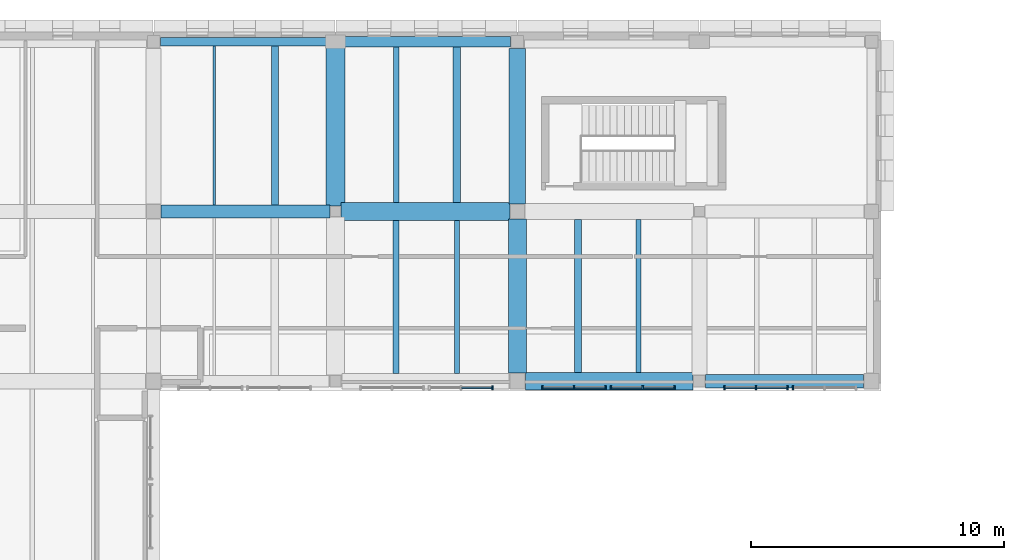
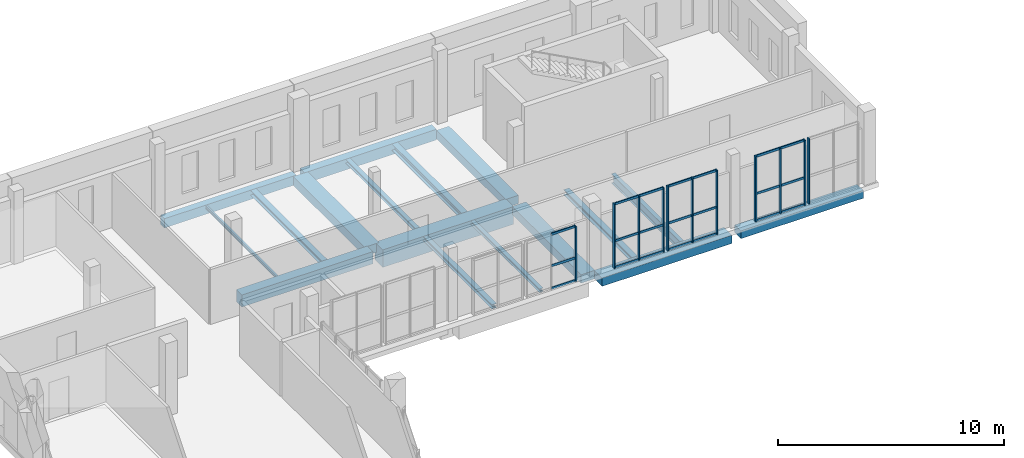
# One storey, part 18 of 56: 32 members, 17 beams, 5 elements without a shape of their own.
"""IFC4 building model written with IfcOpenShell, lengths in metres."""

from ifc_helpers import new_model, si_unit, direction, frame, origin, origin_2d, place, context, subcontext, project, spatial, rectangle, i_section, extrude, material, layer, layer_set, material_profile, profile_set, type_object, element, aggregate, save


model = new_model("IFC4")

# Units and contexts
model_context = context("Model", 3, precision=1e-05, world=origin(), true_north=direction((0.0, 1.0)))
body_context = subcontext(model_context, "Body", "Model", "MODEL_VIEW")
ifc_project = project(units=[si_unit("LENGTHUNIT", "METRE"), si_unit("AREAUNIT", "SQUARE_METRE"), si_unit("VOLUMEUNIT", "CUBIC_METRE"), si_unit("PLANEANGLEUNIT", "RADIAN"), si_unit("MASSUNIT", "GRAM", prefix="KILO")], contexts=[model_context])

# Site, building, storey
site_placement = place(None, origin())
site = spatial("IfcSite", under=ifc_project, at=site_placement, CompositionType="ELEMENT")
building_placement = place(site_placement, origin())
building = spatial("IfcBuilding", under=site, at=building_placement, Name="Vardoun Plaza Health Centre", CompositionType="ELEMENT")
storey_placement = place(building_placement, frame((0.0, 0.0, 8.699951171875)))
storey = spatial("IfcBuildingStorey", under=building, at=storey_placement, Name="L02", CompositionType="ELEMENT", Elevation=8.699951171875)

# Beams
ifc_material_1 = material(Name="Concrete C35/45", Category="concrete")
ifc_material_profile_1 = material_profile(ifc_material_1, rectangle(XDim=0.35009765625, YDim=0.5, at=origin_2d()), Name="RC-BM 350x500")
ifc_profile_set_1 = profile_set([ifc_material_profile_1], Name="Concrete C35/45")
beam_type_1 = type_object("IfcBeamType", Name="B-08", PredefinedType="SPANDREL", material=ifc_profile_set_1)
beam_1_placement = place(storey_placement, frame((19.175048828125, 114.919921875, -0.514892578125), z_axis=(1.0, 0.0, 0.0), x_axis=(0.0, 1.0, 0.0)))
element("IfcBeam", 1, at=beam_1_placement, inside=storey, type_object=beam_type_1, Name="V3 L02 Beam B-V3-L02-X15", PredefinedType="SPANDREL", context=body_context, shape_type="SweptSolid", body=[
    extrude(rectangle(XDim=0.35009765625, YDim=0.5, at=origin_2d()), origin(), (0.0, 0.0, 1.0), 6.724853515625),
])
ifc_material_2 = material(Name="Concrete C35/45", Category="concrete")
ifc_material_profile_2 = material_profile(ifc_material_2, rectangle(XDim=0.419921875, YDim=0.580078125, at=origin_2d()), Name="RC-BM 420x580")
ifc_profile_set_2 = profile_set([ifc_material_profile_2], Name="Concrete C35/45")
beam_type_2 = type_object("IfcBeamType", Name="B-10", PredefinedType="SPANDREL", material=ifc_profile_set_2)
beam_2_placement = place(storey_placement, frame((26.300048828125, 114.919921875, -0.554931640625), z_axis=(1.0, 0.0, 0.0), x_axis=(0.0, 1.0, 0.0)))
element("IfcBeam", 2, at=beam_2_placement, inside=storey, type_object=beam_type_2, Name="V3 L02 Beam B-V3-L02-X18", PredefinedType="SPANDREL", context=body_context, shape_type="SweptSolid", body=[
    extrude(rectangle(XDim=0.419921875, YDim=0.580078125, at=origin_2d()), origin(), (0.0, 0.0, 1.0), 6.72509765625),
])
ifc_material_3 = material(Name="Concrete C40/50", Category="concrete")
ifc_material_profile_3 = material_profile(ifc_material_3, rectangle(XDim=0.5, YDim=0.64990234375, at=origin_2d()), Name="RC-BM 500x650")
ifc_profile_set_3 = profile_set([ifc_material_profile_3], Name="Concrete C40/50")
beam_type_3 = type_object("IfcBeamType", Name="B-13", PredefinedType="BEAM", material=ifc_profile_set_3)
beam_3_placement = place(storey_placement, frame((19.199951171875, 108.199951171875, -0.58984375), z_axis=(1.0, 0.0, 0.0), x_axis=(0.0, 1.0, 0.0)))
element("IfcBeam", 3, at=beam_3_placement, inside=storey, type_object=beam_type_3, Name="V3 L02 Beam B-V3-L02-X14", PredefinedType="BEAM", context=body_context, shape_type="SweptSolid", body=[
    extrude(rectangle(XDim=0.5, YDim=0.64990234375, at=origin_2d()), origin(), (0.0, 0.0, 1.0), 6.675048828125),
])
ifc_material_4 = material(Name="Concrete C35/45", Category="concrete")
ifc_material_profile_4 = material_profile(ifc_material_4, rectangle(XDim=0.550048828125, YDim=0.419921875, at=origin_2d()), Name="RC-BM 550x420")
ifc_profile_set_4 = profile_set([ifc_material_profile_4], Name="Concrete C35/45")
beam_type_4 = type_object("IfcBeamType", Name="B-03", PredefinedType="BEAM", material=ifc_profile_set_4)
beam_4_placement = place(storey_placement, frame((40.75, 101.47998046875, -0.474853515625), z_axis=(1.0, 0.0, 0.0), x_axis=(0.0, 1.0, 0.0)))
element("IfcBeam", 4, at=beam_4_placement, inside=storey, type_object=beam_type_4, Name="V3 L02 Beam B-V3-L02-X22", PredefinedType="BEAM", context=body_context, shape_type="SweptSolid", body=[
    extrude(rectangle(XDim=0.550048828125, YDim=0.419921875, at=origin_2d()), origin(), (0.0, 0.0, 1.0), 6.2451171875),
])
ifc_material_5 = material(Name="Concrete C35/45", Category="concrete")
ifc_material_profile_5 = material_profile(ifc_material_5, rectangle(XDim=0.64990234375, YDim=0.449951171875, at=origin_2d()), Name="RC-BM 650x450")
ifc_profile_set_5 = profile_set([ifc_material_profile_5], Name="Concrete C35/45")
beam_type_5 = type_object("IfcBeamType", Name="B-05", PredefinedType="BEAM", material=ifc_profile_set_5)
beam_5_placement = place(storey_placement, frame((33.300048828125, 108.5, -0.489990234375), z_axis=(0.0, 1.0, 0.0), x_axis=(-1.0, 0.0, 0.0)))
element("IfcBeam", 5, at=beam_5_placement, inside=storey, type_object=beam_type_5, Name="V3 L02 Beam B-V3-L02-Y42", PredefinedType="BEAM", context=body_context, shape_type="SweptSolid", body=[
    extrude(rectangle(XDim=0.64990234375, YDim=0.449951171875, at=origin_2d()), origin(), (0.0, 0.0, 1.0), 6.14501953125),
])
ifc_material_6 = material(Name="Concrete C35/45", Category="concrete")
ifc_material_profile_6 = material_profile(ifc_material_6, rectangle(XDim=0.699951171875, YDim=0.449951171875, at=origin_2d()), Name="RC-BM 700x450")
ifc_profile_set_6 = profile_set([ifc_material_profile_6], Name="Concrete C35/45")
beam_type_6 = type_object("IfcBeamType", Name="B-06", PredefinedType="BEAM", material=ifc_profile_set_6)
beam_6_placement = place(storey_placement, frame((33.625, 101.47998046875, -0.489990234375), z_axis=(1.0, 0.0, 0.0), x_axis=(0.0, 1.0, 0.0)))
element("IfcBeam", 6, at=beam_6_placement, inside=storey, type_object=beam_type_6, Name="V3 L02 Beam B-V3-L02-X19", PredefinedType="BEAM", context=body_context, shape_type="SweptSolid", body=[
    extrude(rectangle(XDim=0.699951171875, YDim=0.449951171875, at=origin_2d()), origin(), (0.0, 0.0, 1.0), 6.625),
])
beam_7_placement = place(storey_placement, frame((33.300048828125, 101.804931640625, -0.489990234375), z_axis=(0.0, 1.0, 0.0), x_axis=(-1.0, 0.0, 0.0)))
element("IfcBeam", 7, at=beam_7_placement, inside=storey, type_object=beam_type_6, Name="V3 L02 Beam B-V3-L02-Y41", PredefinedType="BEAM", context=body_context, shape_type="SweptSolid", body=[
    extrude(rectangle(XDim=0.699951171875, YDim=0.449951171875, at=origin_2d()), origin(), (0.0, 0.0, 1.0), 6.09521484375),
])
ifc_material_7 = material(Name="Concrete C40/50", Category="concrete")
ifc_material_profile_7 = material_profile(ifc_material_7, rectangle(XDim=0.699951171875, YDim=0.949951171875, at=origin_2d()), Name="RC-BM 700x950")
ifc_profile_set_7 = profile_set([ifc_material_profile_7], Name="Concrete C40/50")
beam_type_7 = type_object("IfcBeamType", Name="B-16", PredefinedType="LINTEL", material=ifc_profile_set_7)
beam_8_placement = place(storey_placement, frame((26.324951171875, 108.199951171875, -0.739990234375), z_axis=(1.0, 0.0, 0.0), x_axis=(0.0, 1.0, 0.0)))
element("IfcBeam", 8, at=beam_8_placement, inside=storey, type_object=beam_type_7, Name="V3 L02 Beam B-V3-L02-X17", PredefinedType="LINTEL", context=body_context, shape_type="SweptSolid", body=[
    extrude(rectangle(XDim=0.699951171875, YDim=0.949951171875, at=origin_2d()), origin(), (0.0, 0.0, 1.0), 6.675048828125),
])
ifc_material_8 = material(Name="Concrete C35/45", Category="concrete")
ifc_material_profile_8 = material_profile(ifc_material_8, rectangle(XDim=0.75, YDim=0.47998046875, at=origin_2d()), Name="RC-BM 750x480")
ifc_profile_set_8 = profile_set([ifc_material_profile_8], Name="Concrete C35/45")
beam_type_8 = type_object("IfcBeamType", Name="B-07", PredefinedType="BEAM", material=ifc_profile_set_8)
beam_9_placement = place(storey_placement, frame((26.10009765625, 108.425048828125, -0.5048828125), z_axis=(0.0, 1.0, 0.0), x_axis=(-1.0, 0.0, 0.0)))
element("IfcBeam", 9, at=beam_9_placement, inside=storey, type_object=beam_type_8, Name="V3 L02 Beam B-V3-L02-Y40", PredefinedType="BEAM", context=body_context, shape_type="SweptSolid", body=[
    extrude(rectangle(XDim=0.75, YDim=0.47998046875, at=origin_2d()), origin(), (0.0, 0.0, 1.0), 6.294921875),
])
ifc_material_9 = material(Name="Steel S355J2", Category="steel")
ifc_material_profile_9 = material_profile(ifc_material_9, i_section(OverallWidth=0.199951171875, OverallDepth=0.18994140625, WebThickness=0.006591796875, FlangeThickness=0.010009765625, FilletRadius=0.01806640625, at=origin_2d()), Name="HEA 200")
ifc_profile_set_9 = profile_set([ifc_material_profile_9], Name="Steel S355J2")
beam_type_9 = type_object("IfcBeamType", Name="SB-09", PredefinedType="BEAM", material=ifc_profile_set_9)
beam_10_placement = place(storey_placement, frame((30.900146484375, 101.780029296875, -0.35986328125), z_axis=(0.0, 1.0, 0.0), x_axis=(-1.0, 0.0, 0.0)))
element("IfcBeam", 10, at=beam_10_placement, inside=storey, type_object=beam_type_9, Name="V3 L02 Secondary Floor Beam SJ-V3-L02-23", PredefinedType="BEAM", context=body_context, shape_type="SweptSolid", body=[
    extrude(i_section(OverallWidth=0.199951171875, OverallDepth=0.18994140625, WebThickness=0.006591796875, FlangeThickness=0.010009765625, FilletRadius=0.01806640625, at=origin_2d()), origin(), (0.0, 0.0, 1.0), 6.070068359375),
])
ifc_material_10 = material(Name="Steel S355J2", Category="steel")
ifc_material_profile_10 = material_profile(ifc_material_10, i_section(OverallWidth=0.219970703125, OverallDepth=0.2099609375, WebThickness=0.007080078125, FlangeThickness=0.010986328125, FilletRadius=0.01806640625, at=origin_2d()), Name="HEA 220")
ifc_profile_set_10 = profile_set([ifc_material_profile_10], Name="Steel S355J2")
beam_type_10 = type_object("IfcBeamType", Name="SB-08", PredefinedType="BEAM", material=ifc_profile_set_10)
beam_11_placement = place(storey_placement, frame((28.499755859375, 108.550048828125, -0.369873046875), z_axis=(0.0, 1.0, 0.0), x_axis=(-1.0, 0.0, 0.0)))
element("IfcBeam", 11, at=beam_11_placement, inside=storey, type_object=beam_type_10, Name="V3 L02 Secondary Floor Beam SJ-V3-L02-22", PredefinedType="BEAM", context=body_context, shape_type="SweptSolid", body=[
    extrude(i_section(OverallWidth=0.219970703125, OverallDepth=0.2099609375, WebThickness=0.007080078125, FlangeThickness=0.010986328125, FilletRadius=0.01806640625, at=origin_2d()), origin(), (0.0, 0.0, 1.0), 6.159912109375),
])
ifc_material_11 = material(Name="Steel S355J2", Category="steel")
ifc_material_profile_11 = material_profile(ifc_material_11, i_section(OverallWidth=0.239990234375, OverallDepth=0.22998046875, WebThickness=0.007568359375, FlangeThickness=0.011962890625, FilletRadius=0.02099609375, at=origin_2d()), Name="HEA 240")
ifc_profile_set_11 = profile_set([ifc_material_profile_11], Name="Steel S355J2")
beam_type_11 = type_object("IfcBeamType", Name="SB-07", PredefinedType="BEAM", material=ifc_profile_set_11)
beam_12_placement = place(storey_placement, frame((28.499755859375, 101.780029296875, -0.3798828125), z_axis=(0.0, 1.0, 0.0), x_axis=(-1.0, 0.0, 0.0)))
element("IfcBeam", 12, at=beam_12_placement, inside=storey, type_object=beam_type_11, Name="V3 L02 Secondary Floor Beam SJ-V3-L02-21", PredefinedType="BEAM", context=body_context, shape_type="SweptSolid", body=[
    extrude(i_section(OverallWidth=0.239990234375, OverallDepth=0.22998046875, WebThickness=0.007568359375, FlangeThickness=0.011962890625, FilletRadius=0.02099609375, at=origin_2d()), origin(), (0.0, 0.0, 1.0), 6.070068359375),
])
ifc_material_12 = material(Name="Steel S355J2", Category="steel")
ifc_material_profile_12 = material_profile(ifc_material_12, i_section(OverallWidth=0.280029296875, OverallDepth=0.27001953125, WebThickness=0.008056640625, FlangeThickness=0.012939453125, FilletRadius=0.02392578125, at=origin_2d()), Name="HEA 280")
ifc_profile_set_12 = profile_set([ifc_material_profile_12], Name="Steel S355J2")
beam_type_12 = type_object("IfcBeamType", Name="SB-06", PredefinedType="BEAM", material=ifc_profile_set_12)
beam_13_placement = place(storey_placement, frame((23.7001953125, 108.449951171875, -0.39990234375), z_axis=(0.0, 1.0, 0.0), x_axis=(-1.0, 0.0, 0.0)))
element("IfcBeam", 13, at=beam_13_placement, inside=storey, type_object=beam_type_12, Name="V3 L02 Secondary Floor Beam SJ-V3-L02-20", PredefinedType="BEAM", context=body_context, shape_type="SweptSolid", body=[
    extrude(i_section(OverallWidth=0.280029296875, OverallDepth=0.27001953125, WebThickness=0.008056640625, FlangeThickness=0.012939453125, FilletRadius=0.02392578125, at=origin_2d()), origin(), (0.0, 0.0, 1.0), 6.295166015625),
])
ifc_material_13 = material(Name="Steel S355J2", Category="steel")
ifc_material_profile_13 = material_profile(ifc_material_13, i_section(OverallWidth=0.280029296875, OverallDepth=0.280029296875, WebThickness=0.010498046875, FlangeThickness=0.01806640625, FilletRadius=0.02392578125, at=origin_2d()), Name="HEB 280")
ifc_profile_set_13 = profile_set([ifc_material_profile_13], Name="Steel S355J2")
beam_type_13 = type_object("IfcBeamType", Name="SB-02", PredefinedType="BEAM", material=ifc_profile_set_13)
beam_14_placement = place(storey_placement, frame((35.69970703125, 101.830078125, -0.405029296875), z_axis=(0.0, 1.0, 0.0), x_axis=(-1.0, 0.0, 0.0)))
element("IfcBeam", 14, at=beam_14_placement, inside=storey, type_object=beam_type_13, Name="V3 L02 Secondary Floor Beam SJ-V3-L02-25", PredefinedType="BEAM", context=body_context, shape_type="SweptSolid", body=[
    extrude(i_section(OverallWidth=0.280029296875, OverallDepth=0.280029296875, WebThickness=0.010498046875, FlangeThickness=0.01806640625, FilletRadius=0.02392578125, at=origin_2d()), origin(), (0.0, 0.0, 1.0), 6.044921875),
])
ifc_material_14 = material(Name="Steel S355J2", Category="steel")
ifc_material_profile_14 = material_profile(ifc_material_14, i_section(OverallWidth=0.300048828125, OverallDepth=0.360107421875, WebThickness=0.012451171875, FlangeThickness=0.0224609375, FilletRadius=0.027099609375, at=origin_2d()), Name="HEB 360")
ifc_profile_set_14 = profile_set([ifc_material_profile_14], Name="Steel S355J2")
beam_type_14 = type_object("IfcBeamType", Name="RB-04", PredefinedType="BEAM", material=ifc_profile_set_14)
beam_15_placement = place(storey_placement, frame((30.900146484375, 108.550048828125, -0.445068359375), z_axis=(0.0, 1.0, 0.0), x_axis=(-1.0, 0.0, 0.0)))
element("IfcBeam", 15, at=beam_15_placement, inside=storey, type_object=beam_type_14, Name="V3 L02 Secondary Floor Beam SJ-V3-L02-24", PredefinedType="BEAM", context=body_context, shape_type="SweptSolid", body=[
    extrude(i_section(OverallWidth=0.300048828125, OverallDepth=0.360107421875, WebThickness=0.012451171875, FlangeThickness=0.0224609375, FilletRadius=0.027099609375, at=origin_2d()), origin(), (0.0, 0.0, 1.0), 6.159912109375),
])
ifc_material_15 = material(Name="Steel S355J2", Category="steel")
ifc_material_profile_15 = material_profile(ifc_material_15, i_section(OverallWidth=0.091064453125, OverallDepth=0.179931640625, WebThickness=0.00537109375, FlangeThickness=0.008056640625, FilletRadius=0.009033203125, at=origin_2d()), Name="IPE 180")
ifc_profile_set_15 = profile_set([ifc_material_profile_15], Name="Steel S355J2")
beam_type_15 = type_object("IfcBeamType", Name="SB-20", PredefinedType="SPANDREL", material=ifc_profile_set_15)
beam_16_placement = place(storey_placement, frame((21.2998046875, 108.449951171875, -0.35498046875), z_axis=(0.0, 1.0, 0.0), x_axis=(-1.0, 0.0, 0.0)))
element("IfcBeam", 16, at=beam_16_placement, inside=storey, type_object=beam_type_15, Name="V3 L02 Secondary Floor Beam SJ-V3-L02-18", PredefinedType="SPANDREL", context=body_context, shape_type="SweptSolid", body=[
    extrude(i_section(OverallWidth=0.091064453125, OverallDepth=0.179931640625, WebThickness=0.00537109375, FlangeThickness=0.008056640625, FilletRadius=0.009033203125, at=origin_2d()), origin(), (0.0, 0.0, 1.0), 6.295166015625),
])
ifc_material_16 = material(Name="Steel S355J2", Category="steel")
ifc_material_profile_16 = material_profile(ifc_material_16, i_section(OverallWidth=0.199951171875, OverallDepth=0.5, WebThickness=0.01025390625, FlangeThickness=0.01611328125, FilletRadius=0.02099609375, at=origin_2d()), Name="IPE 500")
ifc_profile_set_16 = profile_set([ifc_material_profile_16], Name="Steel S355J2")
beam_type_16 = type_object("IfcBeamType", Name="SB-10", PredefinedType="BEAM", material=ifc_profile_set_16)
beam_17_placement = place(storey_placement, frame((38.10009765625, 101.830078125, -0.514892578125), z_axis=(0.0, 1.0, 0.0), x_axis=(-1.0, 0.0, 0.0)))
element("IfcBeam", 17, at=beam_17_placement, inside=storey, type_object=beam_type_16, Name="V3 L02 Secondary Floor Beam SJ-V3-L02-26", PredefinedType="BEAM", context=body_context, shape_type="SweptSolid", body=[
    extrude(i_section(OverallWidth=0.199951171875, OverallDepth=0.5, WebThickness=0.01025390625, FlangeThickness=0.01611328125, FilletRadius=0.02099609375, at=origin_2d()), origin(), (0.0, 0.0, 1.0), 6.044921875),
])

# Curtain wall, member
ifc_material_17 = material(Name="Aluminium Alloy EN AW-6063-T6 and Low-E Glass", Category="aluminium")
ifc_layer = layer(ifc_material_17, 0.159912109375)
ifc_layer_set = layer_set([ifc_layer], Name="Aluminium Alloy EN AW-6063-T6 and Low-E Glass")
curtain_wall_type = type_object("IfcCurtainWallType", Name="CW-02", PredefinedType="USERDEFINED", material=ifc_layer_set)
curtain_wall_1_placement = place(storey_placement, origin())
curtain_wall_1 = element("IfcCurtainWall", 18, at=curtain_wall_1_placement, inside=storey, type_object=curtain_wall_type, Name="Curtain Wall CW-V3-073", ObjectType="COURTYARD_CURTAIN_WALL", PredefinedType="USERDEFINED")
ifc_material_18 = material(Name="Aluminium Alloy EN AW-6063-T6", Category="aluminium")
ifc_material_profile_17 = material_profile(ifc_material_18, rectangle(XDim=0.159912109375, YDim=0.06005859375, at=origin_2d()), Name="CWM 60x160")
ifc_profile_set_17 = profile_set([ifc_material_profile_17], Name="Aluminium Alloy EN AW-6063-T6")
member_type_1 = type_object("IfcMemberType", Name="CW-M1", PredefinedType="MULLION", material=ifc_profile_set_17)
member_1_placement = place(storey_placement, frame((44.2099609375, 101.219970703125, 0.0), z_axis=(0.0, 0.0, 1.0), x_axis=(0.0, -1.0, 0.0)))
member_1 = element("IfcMember", 19, at=member_1_placement, type_object=member_type_1, Name="CW-V3-073 mullion 3", PredefinedType="MULLION", context=body_context, shape_type="SweptSolid", body=[
    extrude(rectangle(XDim=0.159912109375, YDim=0.06005859375, at=origin_2d()), origin(), (0.0, 0.0, 1.0), 3.52001953125),
])
aggregate(curtain_wall_1, [member_1])

# Curtain wall, members
curtain_wall_2_placement = place(storey_placement, origin())
curtain_wall_2 = element("IfcCurtainWall", 20, at=curtain_wall_2_placement, inside=storey, type_object=curtain_wall_type, Name="Curtain Wall CW-V3-074", ObjectType="COURTYARD_CURTAIN_WALL", PredefinedType="USERDEFINED")
member_2_placement = place(storey_placement, frame((43.989990234375, 101.219970703125, 0.0), z_axis=(0.0, 0.0, 1.0), x_axis=(0.0, -1.0, 0.0)))
member_2 = element("IfcMember", 21, at=member_2_placement, type_object=member_type_1, Name="CW-V3-074 mullion 1", PredefinedType="MULLION", context=body_context, shape_type="SweptSolid", body=[
    extrude(rectangle(XDim=0.159912109375, YDim=0.06005859375, at=origin_2d()), origin(), (0.0, 0.0, 1.0), 3.52001953125),
])
member_3_placement = place(storey_placement, frame((42.739990234375, 101.219970703125, 0.0), z_axis=(0.0, 0.0, 1.0), x_axis=(0.0, -1.0, 0.0)))
member_3 = element("IfcMember", 22, at=member_3_placement, type_object=member_type_1, Name="CW-V3-074 mullion 2", PredefinedType="MULLION", context=body_context, shape_type="SweptSolid", body=[
    extrude(rectangle(XDim=0.159912109375, YDim=0.06005859375, at=origin_2d()), origin(), (0.0, 0.0, 1.0), 3.52001953125),
])
member_4_placement = place(storey_placement, frame((41.489990234375, 101.219970703125, 0.0), z_axis=(0.0, 0.0, 1.0), x_axis=(0.0, -1.0, 0.0)))
member_4 = element("IfcMember", 23, at=member_4_placement, type_object=member_type_1, Name="CW-V3-074 mullion 3", PredefinedType="MULLION", context=body_context, shape_type="SweptSolid", body=[
    extrude(rectangle(XDim=0.159912109375, YDim=0.06005859375, at=origin_2d()), origin(), (0.0, 0.0, 1.0), 3.52001953125),
])

curtain_wall_3_placement = place(storey_placement, origin())
curtain_wall_3 = element("IfcCurtainWall", 24, at=curtain_wall_3_placement, inside=storey, type_object=curtain_wall_type, Name="Curtain Wall CW-V3-075", ObjectType="COURTYARD_CURTAIN_WALL", PredefinedType="USERDEFINED")
member_5_placement = place(storey_placement, frame((39.510009765625, 101.219970703125, 0.0), z_axis=(0.0, 0.0, 1.0), x_axis=(0.0, -1.0, 0.0)))
member_5 = element("IfcMember", 25, at=member_5_placement, type_object=member_type_1, Name="CW-V3-075 mullion 1", PredefinedType="MULLION", context=body_context, shape_type="SweptSolid", body=[
    extrude(rectangle(XDim=0.159912109375, YDim=0.06005859375, at=origin_2d()), origin(), (0.0, 0.0, 1.0), 3.469970703125),
])
member_6_placement = place(storey_placement, frame((38.260009765625, 101.219970703125, 0.0), z_axis=(0.0, 0.0, 1.0), x_axis=(0.0, -1.0, 0.0)))
member_6 = element("IfcMember", 26, at=member_6_placement, type_object=member_type_1, Name="CW-V3-075 mullion 2", PredefinedType="MULLION", context=body_context, shape_type="SweptSolid", body=[
    extrude(rectangle(XDim=0.159912109375, YDim=0.06005859375, at=origin_2d()), origin(), (0.0, 0.0, 1.0), 3.469970703125),
])
member_7_placement = place(storey_placement, frame((37.010009765625, 101.219970703125, 0.0), z_axis=(0.0, 0.0, 1.0), x_axis=(0.0, -1.0, 0.0)))
member_7 = element("IfcMember", 27, at=member_7_placement, type_object=member_type_1, Name="CW-V3-075 mullion 3", PredefinedType="MULLION", context=body_context, shape_type="SweptSolid", body=[
    extrude(rectangle(XDim=0.159912109375, YDim=0.06005859375, at=origin_2d()), origin(), (0.0, 0.0, 1.0), 3.469970703125),
])

curtain_wall_4_placement = place(storey_placement, origin())
curtain_wall_4 = element("IfcCurtainWall", 28, at=curtain_wall_4_placement, inside=storey, type_object=curtain_wall_type, Name="Curtain Wall CW-V3-076", ObjectType="COURTYARD_CURTAIN_WALL", PredefinedType="USERDEFINED")
member_8_placement = place(storey_placement, frame((36.7900390625, 101.219970703125, 0.0), z_axis=(0.0, 0.0, 1.0), x_axis=(0.0, -1.0, 0.0)))
member_8 = element("IfcMember", 29, at=member_8_placement, type_object=member_type_1, Name="CW-V3-076 mullion 1", PredefinedType="MULLION", context=body_context, shape_type="SweptSolid", body=[
    extrude(rectangle(XDim=0.159912109375, YDim=0.06005859375, at=origin_2d()), origin(), (0.0, 0.0, 1.0), 3.469970703125),
])
member_9_placement = place(storey_placement, frame((35.5400390625, 101.219970703125, 0.0), z_axis=(0.0, 0.0, 1.0), x_axis=(0.0, -1.0, 0.0)))
member_9 = element("IfcMember", 30, at=member_9_placement, type_object=member_type_1, Name="CW-V3-076 mullion 2", PredefinedType="MULLION", context=body_context, shape_type="SweptSolid", body=[
    extrude(rectangle(XDim=0.159912109375, YDim=0.06005859375, at=origin_2d()), origin(), (0.0, 0.0, 1.0), 3.469970703125),
])
member_10_placement = place(storey_placement, frame((34.2900390625, 101.219970703125, 0.0), z_axis=(0.0, 0.0, 1.0), x_axis=(0.0, -1.0, 0.0)))
member_10 = element("IfcMember", 31, at=member_10_placement, type_object=member_type_1, Name="CW-V3-076 mullion 3", PredefinedType="MULLION", context=body_context, shape_type="SweptSolid", body=[
    extrude(rectangle(XDim=0.159912109375, YDim=0.06005859375, at=origin_2d()), origin(), (0.0, 0.0, 1.0), 3.469970703125),
])

# Curtain wall, member
curtain_wall_5_placement = place(storey_placement, origin())
curtain_wall_5 = element("IfcCurtainWall", 32, at=curtain_wall_5_placement, inside=storey, type_object=curtain_wall_type, Name="Curtain Wall CW-V3-077", ObjectType="COURTYARD_CURTAIN_WALL", PredefinedType="USERDEFINED")
member_11_placement = place(storey_placement, frame((32.31005859375, 101.219970703125, 0.0), z_axis=(0.0, 0.0, 1.0), x_axis=(0.0, -1.0, 0.0)))
member_11 = element("IfcMember", 33, at=member_11_placement, type_object=member_type_1, Name="CW-V3-077 mullion 1", PredefinedType="MULLION", context=body_context, shape_type="SweptSolid", body=[
    extrude(rectangle(XDim=0.159912109375, YDim=0.06005859375, at=origin_2d()), origin(), (0.0, 0.0, 1.0), 2.969970703125),
])

# Member
ifc_material_19 = material(Name="Aluminium Alloy EN AW-6063-T6", Category="aluminium")
ifc_material_profile_18 = material_profile(ifc_material_19, rectangle(XDim=0.06005859375, YDim=0.1201171875, at=origin_2d()), Name="CWT 60x120")
ifc_profile_set_18 = profile_set([ifc_material_profile_18], Name="Aluminium Alloy EN AW-6063-T6")
member_type_2 = type_object("IfcMemberType", Name="CW-T1", PredefinedType="USERDEFINED", material=ifc_profile_set_18)
member_12_placement = place(storey_placement, frame((43.9599609375, 101.219970703125, 0.030029296875), z_axis=(-1.0, 0.0, 0.0), x_axis=(0.0, -1.0, 0.0)))
member_12 = element("IfcMember", 34, at=member_12_placement, type_object=member_type_2, Name="CW-V3-074 transom 1.1", ObjectType="TRANSOM", PredefinedType="USERDEFINED", context=body_context, shape_type="SweptSolid", body=[
    extrude(rectangle(XDim=0.06005859375, YDim=0.1201171875, at=origin_2d()), origin(), (0.0, 0.0, 1.0), 1.18994140625),
])

member_13_placement = place(storey_placement, frame((43.9599609375, 101.219970703125, 1.478515625), z_axis=(-1.0, 0.0, 0.0), x_axis=(0.0, -1.0, 0.0)))
member_13 = element("IfcMember", 35, at=member_13_placement, type_object=member_type_2, Name="CW-V3-074 transom 1.2", ObjectType="TRANSOM", PredefinedType="USERDEFINED", context=body_context, shape_type="SweptSolid", body=[
    extrude(rectangle(XDim=0.06005859375, YDim=0.1201171875, at=origin_2d()), origin(), (0.0, 0.0, 1.0), 1.18994140625),
])

member_14_placement = place(storey_placement, frame((43.9599609375, 101.219970703125, 3.489990234375), z_axis=(-1.0, 0.0, 0.0), x_axis=(0.0, -1.0, 0.0)))
member_14 = element("IfcMember", 36, at=member_14_placement, type_object=member_type_2, Name="CW-V3-074 transom 1.3", ObjectType="TRANSOM", PredefinedType="USERDEFINED", context=body_context, shape_type="SweptSolid", body=[
    extrude(rectangle(XDim=0.06005859375, YDim=0.1201171875, at=origin_2d()), origin(), (0.0, 0.0, 1.0), 1.18994140625),
])

member_15_placement = place(storey_placement, frame((42.7099609375, 101.219970703125, 0.030029296875), z_axis=(-1.0, 0.0, 0.0), x_axis=(0.0, -1.0, 0.0)))
member_15 = element("IfcMember", 37, at=member_15_placement, type_object=member_type_2, Name="CW-V3-074 transom 2.1", ObjectType="TRANSOM", PredefinedType="USERDEFINED", context=body_context, shape_type="SweptSolid", body=[
    extrude(rectangle(XDim=0.06005859375, YDim=0.1201171875, at=origin_2d()), origin(), (0.0, 0.0, 1.0), 1.18994140625),
])

member_16_placement = place(storey_placement, frame((42.7099609375, 101.219970703125, 1.478515625), z_axis=(-1.0, 0.0, 0.0), x_axis=(0.0, -1.0, 0.0)))
member_16 = element("IfcMember", 38, at=member_16_placement, type_object=member_type_2, Name="CW-V3-074 transom 2.2", ObjectType="TRANSOM", PredefinedType="USERDEFINED", context=body_context, shape_type="SweptSolid", body=[
    extrude(rectangle(XDim=0.06005859375, YDim=0.1201171875, at=origin_2d()), origin(), (0.0, 0.0, 1.0), 1.18994140625),
])

member_17_placement = place(storey_placement, frame((42.7099609375, 101.219970703125, 3.489990234375), z_axis=(-1.0, 0.0, 0.0), x_axis=(0.0, -1.0, 0.0)))
member_17 = element("IfcMember", 39, at=member_17_placement, type_object=member_type_2, Name="CW-V3-074 transom 2.3", ObjectType="TRANSOM", PredefinedType="USERDEFINED", context=body_context, shape_type="SweptSolid", body=[
    extrude(rectangle(XDim=0.06005859375, YDim=0.1201171875, at=origin_2d()), origin(), (0.0, 0.0, 1.0), 1.18994140625),
])

aggregate(curtain_wall_2, [member_2, member_3, member_4, member_12, member_13, member_14, member_15, member_16, member_17])

member_18_placement = place(storey_placement, frame((39.47998046875, 101.219970703125, 0.030029296875), z_axis=(-1.0, 0.0, 0.0), x_axis=(0.0, -1.0, 0.0)))
member_18 = element("IfcMember", 40, at=member_18_placement, type_object=member_type_2, Name="CW-V3-075 transom 1.1", ObjectType="TRANSOM", PredefinedType="USERDEFINED", context=body_context, shape_type="SweptSolid", body=[
    extrude(rectangle(XDim=0.06005859375, YDim=0.1201171875, at=origin_2d()), origin(), (0.0, 0.0, 1.0), 1.18994140625),
])

member_19_placement = place(storey_placement, frame((39.47998046875, 101.219970703125, 1.45751953125), z_axis=(-1.0, 0.0, 0.0), x_axis=(0.0, -1.0, 0.0)))
member_19 = element("IfcMember", 41, at=member_19_placement, type_object=member_type_2, Name="CW-V3-075 transom 1.2", ObjectType="TRANSOM", PredefinedType="USERDEFINED", context=body_context, shape_type="SweptSolid", body=[
    extrude(rectangle(XDim=0.06005859375, YDim=0.1201171875, at=origin_2d()), origin(), (0.0, 0.0, 1.0), 1.18994140625),
])

member_20_placement = place(storey_placement, frame((39.47998046875, 101.219970703125, 3.43994140625), z_axis=(-1.0, 0.0, 0.0), x_axis=(0.0, -1.0, 0.0)))
member_20 = element("IfcMember", 42, at=member_20_placement, type_object=member_type_2, Name="CW-V3-075 transom 1.3", ObjectType="TRANSOM", PredefinedType="USERDEFINED", context=body_context, shape_type="SweptSolid", body=[
    extrude(rectangle(XDim=0.06005859375, YDim=0.1201171875, at=origin_2d()), origin(), (0.0, 0.0, 1.0), 1.18994140625),
])

member_21_placement = place(storey_placement, frame((38.22998046875, 101.219970703125, 0.030029296875), z_axis=(-1.0, 0.0, 0.0), x_axis=(0.0, -1.0, 0.0)))
member_21 = element("IfcMember", 43, at=member_21_placement, type_object=member_type_2, Name="CW-V3-075 transom 2.1", ObjectType="TRANSOM", PredefinedType="USERDEFINED", context=body_context, shape_type="SweptSolid", body=[
    extrude(rectangle(XDim=0.06005859375, YDim=0.1201171875, at=origin_2d()), origin(), (0.0, 0.0, 1.0), 1.18994140625),
])

member_22_placement = place(storey_placement, frame((38.22998046875, 101.219970703125, 1.45751953125), z_axis=(-1.0, 0.0, 0.0), x_axis=(0.0, -1.0, 0.0)))
member_22 = element("IfcMember", 44, at=member_22_placement, type_object=member_type_2, Name="CW-V3-075 transom 2.2", ObjectType="TRANSOM", PredefinedType="USERDEFINED", context=body_context, shape_type="SweptSolid", body=[
    extrude(rectangle(XDim=0.06005859375, YDim=0.1201171875, at=origin_2d()), origin(), (0.0, 0.0, 1.0), 1.18994140625),
])

member_23_placement = place(storey_placement, frame((38.22998046875, 101.219970703125, 3.43994140625), z_axis=(-1.0, 0.0, 0.0), x_axis=(0.0, -1.0, 0.0)))
member_23 = element("IfcMember", 45, at=member_23_placement, type_object=member_type_2, Name="CW-V3-075 transom 2.3", ObjectType="TRANSOM", PredefinedType="USERDEFINED", context=body_context, shape_type="SweptSolid", body=[
    extrude(rectangle(XDim=0.06005859375, YDim=0.1201171875, at=origin_2d()), origin(), (0.0, 0.0, 1.0), 1.18994140625),
])

aggregate(curtain_wall_3, [member_5, member_6, member_7, member_18, member_19, member_20, member_21, member_22, member_23])

member_24_placement = place(storey_placement, frame((36.760009765625, 101.219970703125, 0.030029296875), z_axis=(-1.0, 0.0, 0.0), x_axis=(0.0, -1.0, 0.0)))
member_24 = element("IfcMember", 46, at=member_24_placement, type_object=member_type_2, Name="CW-V3-076 transom 1.1", ObjectType="TRANSOM", PredefinedType="USERDEFINED", context=body_context, shape_type="SweptSolid", body=[
    extrude(rectangle(XDim=0.06005859375, YDim=0.1201171875, at=origin_2d()), origin(), (0.0, 0.0, 1.0), 1.18994140625),
])

member_25_placement = place(storey_placement, frame((36.760009765625, 101.219970703125, 1.45751953125), z_axis=(-1.0, 0.0, 0.0), x_axis=(0.0, -1.0, 0.0)))
member_25 = element("IfcMember", 47, at=member_25_placement, type_object=member_type_2, Name="CW-V3-076 transom 1.2", ObjectType="TRANSOM", PredefinedType="USERDEFINED", context=body_context, shape_type="SweptSolid", body=[
    extrude(rectangle(XDim=0.06005859375, YDim=0.1201171875, at=origin_2d()), origin(), (0.0, 0.0, 1.0), 1.18994140625),
])

member_26_placement = place(storey_placement, frame((36.760009765625, 101.219970703125, 3.43994140625), z_axis=(-1.0, 0.0, 0.0), x_axis=(0.0, -1.0, 0.0)))
member_26 = element("IfcMember", 48, at=member_26_placement, type_object=member_type_2, Name="CW-V3-076 transom 1.3", ObjectType="TRANSOM", PredefinedType="USERDEFINED", context=body_context, shape_type="SweptSolid", body=[
    extrude(rectangle(XDim=0.06005859375, YDim=0.1201171875, at=origin_2d()), origin(), (0.0, 0.0, 1.0), 1.18994140625),
])

member_27_placement = place(storey_placement, frame((35.510009765625, 101.219970703125, 0.030029296875), z_axis=(-1.0, 0.0, 0.0), x_axis=(0.0, -1.0, 0.0)))
member_27 = element("IfcMember", 49, at=member_27_placement, type_object=member_type_2, Name="CW-V3-076 transom 2.1", ObjectType="TRANSOM", PredefinedType="USERDEFINED", context=body_context, shape_type="SweptSolid", body=[
    extrude(rectangle(XDim=0.06005859375, YDim=0.1201171875, at=origin_2d()), origin(), (0.0, 0.0, 1.0), 1.18994140625),
])

member_28_placement = place(storey_placement, frame((35.510009765625, 101.219970703125, 1.45751953125), z_axis=(-1.0, 0.0, 0.0), x_axis=(0.0, -1.0, 0.0)))
member_28 = element("IfcMember", 50, at=member_28_placement, type_object=member_type_2, Name="CW-V3-076 transom 2.2", ObjectType="TRANSOM", PredefinedType="USERDEFINED", context=body_context, shape_type="SweptSolid", body=[
    extrude(rectangle(XDim=0.06005859375, YDim=0.1201171875, at=origin_2d()), origin(), (0.0, 0.0, 1.0), 1.18994140625),
])

member_29_placement = place(storey_placement, frame((35.510009765625, 101.219970703125, 3.43994140625), z_axis=(-1.0, 0.0, 0.0), x_axis=(0.0, -1.0, 0.0)))
member_29 = element("IfcMember", 51, at=member_29_placement, type_object=member_type_2, Name="CW-V3-076 transom 2.3", ObjectType="TRANSOM", PredefinedType="USERDEFINED", context=body_context, shape_type="SweptSolid", body=[
    extrude(rectangle(XDim=0.06005859375, YDim=0.1201171875, at=origin_2d()), origin(), (0.0, 0.0, 1.0), 1.18994140625),
])

aggregate(curtain_wall_4, [member_8, member_9, member_10, member_24, member_25, member_26, member_27, member_28, member_29])

member_30_placement = place(storey_placement, frame((32.280029296875, 101.219970703125, 0.030029296875), z_axis=(-1.0, 0.0, 0.0), x_axis=(0.0, -1.0, 0.0)))
member_30 = element("IfcMember", 52, at=member_30_placement, type_object=member_type_2, Name="CW-V3-077 transom 1.1", ObjectType="TRANSOM", PredefinedType="USERDEFINED", context=body_context, shape_type="SweptSolid", body=[
    extrude(rectangle(XDim=0.06005859375, YDim=0.1201171875, at=origin_2d()), origin(), (0.0, 0.0, 1.0), 1.18994140625),
])

member_31_placement = place(storey_placement, frame((32.280029296875, 101.219970703125, 1.24755859375), z_axis=(-1.0, 0.0, 0.0), x_axis=(0.0, -1.0, 0.0)))
member_31 = element("IfcMember", 53, at=member_31_placement, type_object=member_type_2, Name="CW-V3-077 transom 1.2", ObjectType="TRANSOM", PredefinedType="USERDEFINED", context=body_context, shape_type="SweptSolid", body=[
    extrude(rectangle(XDim=0.06005859375, YDim=0.1201171875, at=origin_2d()), origin(), (0.0, 0.0, 1.0), 1.18994140625),
])

member_32_placement = place(storey_placement, frame((32.280029296875, 101.219970703125, 2.93994140625), z_axis=(-1.0, 0.0, 0.0), x_axis=(0.0, -1.0, 0.0)))
member_32 = element("IfcMember", 54, at=member_32_placement, type_object=member_type_2, Name="CW-V3-077 transom 1.3", ObjectType="TRANSOM", PredefinedType="USERDEFINED", context=body_context, shape_type="SweptSolid", body=[
    extrude(rectangle(XDim=0.06005859375, YDim=0.1201171875, at=origin_2d()), origin(), (0.0, 0.0, 1.0), 1.18994140625),
])

aggregate(curtain_wall_5, [member_11, member_30, member_31, member_32])

save(model, "model.ifc")
